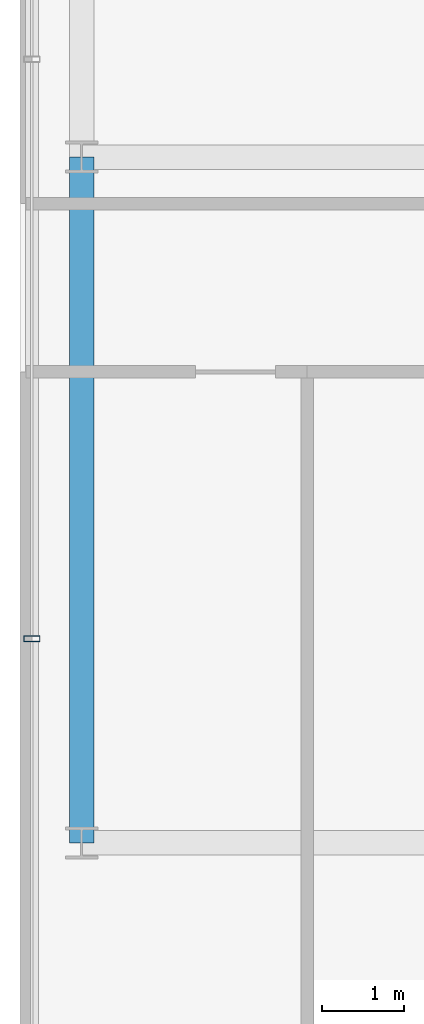
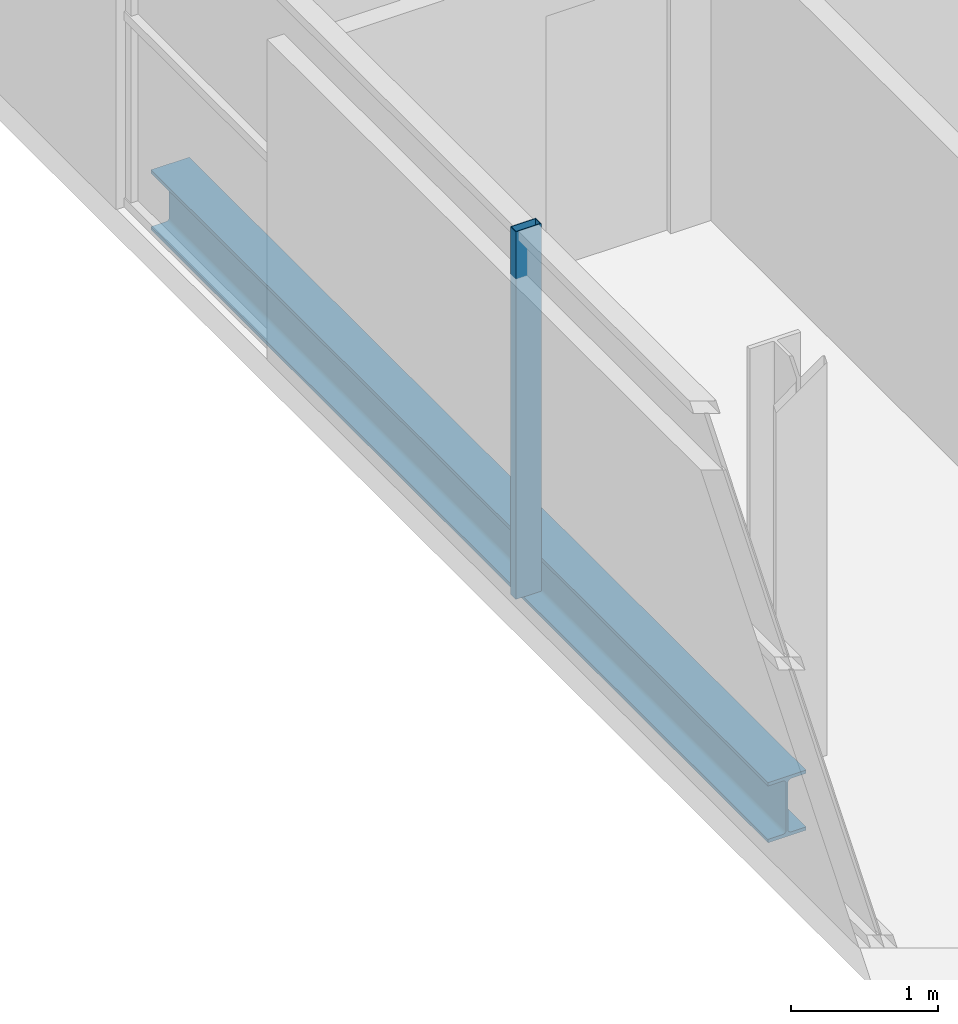
# One storey, part 4 of 23: 1 beam, 1 member, 1 element without a shape of its own.
"""IFC4 building model written with IfcOpenShell, lengths in metres."""

from ifc_helpers import new_model, si_unit, direction, frame, origin, origin_2d, place, context, subcontext, project, spatial, hollow_rectangle, i_section, extrude, source, transform, mapped, material, layer, layer_set, material_profile, profile_set, type_object, element, aggregate, save


model = new_model("IFC4")

# Units and contexts
model_context = context("Model", 3, precision=1e-05, world=origin(), true_north=direction((0.0, 1.0)))
body_context = subcontext(model_context, "Body", "Model", "MODEL_VIEW")
ifc_project = project(units=[si_unit("LENGTHUNIT", "METRE"), si_unit("AREAUNIT", "SQUARE_METRE"), si_unit("VOLUMEUNIT", "CUBIC_METRE"), si_unit("PLANEANGLEUNIT", "RADIAN"), si_unit("MASSUNIT", "GRAM", prefix="KILO")], contexts=[model_context])

# Site, building, storey
site_placement = place(None, origin())
site = spatial("IfcSite", under=ifc_project, at=site_placement, CompositionType="ELEMENT")
building_placement = place(site_placement, origin())
building = spatial("IfcBuilding", under=site, at=building_placement, Name="Zarnakvel Exchange Tower", CompositionType="ELEMENT")
storey_placement = place(building_placement, frame((0.0, 0.0, 149.5)))
storey = spatial("IfcBuildingStorey", under=building, at=storey_placement, Name="L41", CompositionType="ELEMENT", Elevation=149.5)

# Beam
ifc_material_1 = material(Name="Steel S355", Category="steel")
ifc_material_profile_1 = material_profile(ifc_material_1, i_section(OverallWidth=0.300048828125, OverallDepth=0.5, WebThickness=0.014404296875, FlangeThickness=0.028076171875, FilletRadius=0.027099609375, at=origin_2d()))
ifc_profile_set_1 = profile_set([ifc_material_profile_1], Name="Steel S355")
beam_type = type_object("IfcBeamType", Name="SP-02", PredefinedType="SPANDREL", material=ifc_profile_set_1)
beam_placement = place(storey_placement, frame((-25.85009765625, -9.60009765625, -0.47509765625), z_axis=(0.0, 1.0, 0.0), x_axis=(-1.0, 0.0, 0.0)))
element("IfcBeam", 1, at=beam_placement, inside=storey, type_object=beam_type, Name="L41 Tower N-S Frame Beam", PredefinedType="SPANDREL", context=body_context, shape_type="SweptSolid", body=[
    extrude(i_section(OverallWidth=0.300048828125, OverallDepth=0.5, WebThickness=0.014404296875, FlangeThickness=0.028076171875, FilletRadius=0.027099609375, at=origin_2d()), origin(), (0.0, 0.0, 1.0), 8.400146484375),
])

# Curtain wall, member
ifc_material_2 = material(Name="Architectural Bronze Anodised Aluminium", Category="aluminium")
ifc_layer = layer(ifc_material_2, 0.199951171875)
ifc_layer_set = layer_set([ifc_layer], Name="Architectural Bronze Anodised Aluminium")
curtain_wall_type = type_object("IfcCurtainWallType", Name="CW-04", PredefinedType="NOTDEFINED", material=ifc_layer_set)
curtain_wall_placement = place(storey_placement, origin())
curtain_wall = element("IfcCurtainWall", 2, at=curtain_wall_placement, inside=storey, type_object=curtain_wall_type, Name="L41 Curtain Wall CW-L41-W1 (CW-04)", PredefinedType="NOTDEFINED")
ifc_material_profile_2 = material_profile(ifc_material_2, hollow_rectangle(XDim=0.199951171875, YDim=0.074951171875, WallThickness=0.0048828125, at=origin_2d()))
ifc_profile_set_2 = profile_set([ifc_material_profile_2], Name="Architectural Bronze Anodised Aluminium")
member_type = type_object("IfcMemberType", Name="CWM-04", PredefinedType="MULLION", material=ifc_profile_set_2)
shared_shape = source(origin(), body_context, "Body", "SweptSolid", [
    extrude(hollow_rectangle(XDim=0.199951171875, YDim=0.074951171875, WallThickness=0.0048828125, at=origin_2d()), origin(), (0.0, 0.0, 1.0), 3.054931640625),
])
member_placement = place(storey_placement, frame((-26.4599609375, -7.10009765625, 0.0), z_axis=(0.0, 0.0, 1.0), x_axis=(-1.0, 0.0, 0.0)))
member = element("IfcMember", 3, at=member_placement, type_object=member_type, Name="CW-04 mullion 2", PredefinedType="MULLION", context=body_context, shape_type="MappedRepresentation", body=[
    mapped(shared_shape, transform((0.0, 0.0, 0.0), x_axis=(1.0, 0.0, 0.0), y_axis=(0.0, 1.0, 0.0), z_axis=(0.0, 0.0, 1.0), scale=1.0)),
])
aggregate(curtain_wall, [member])

save(model, "model.ifc")
